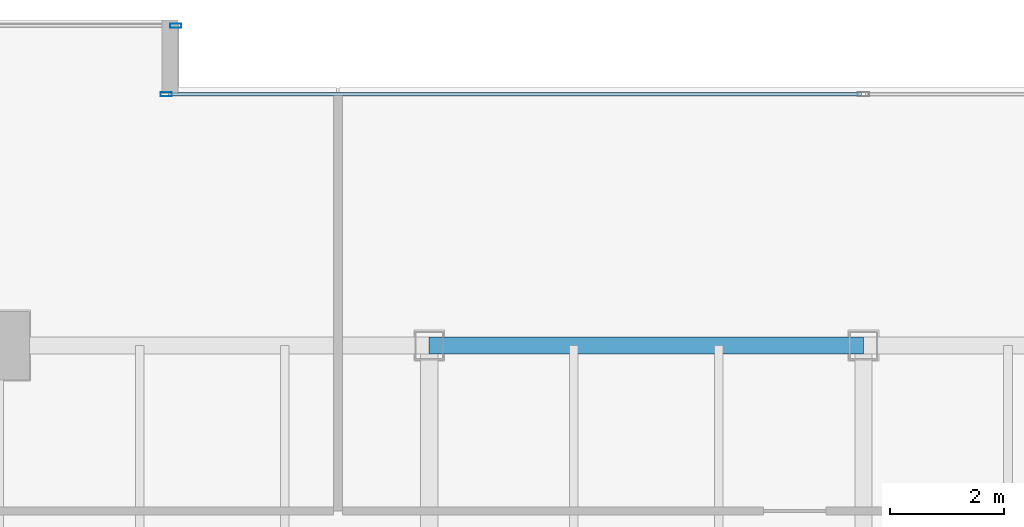
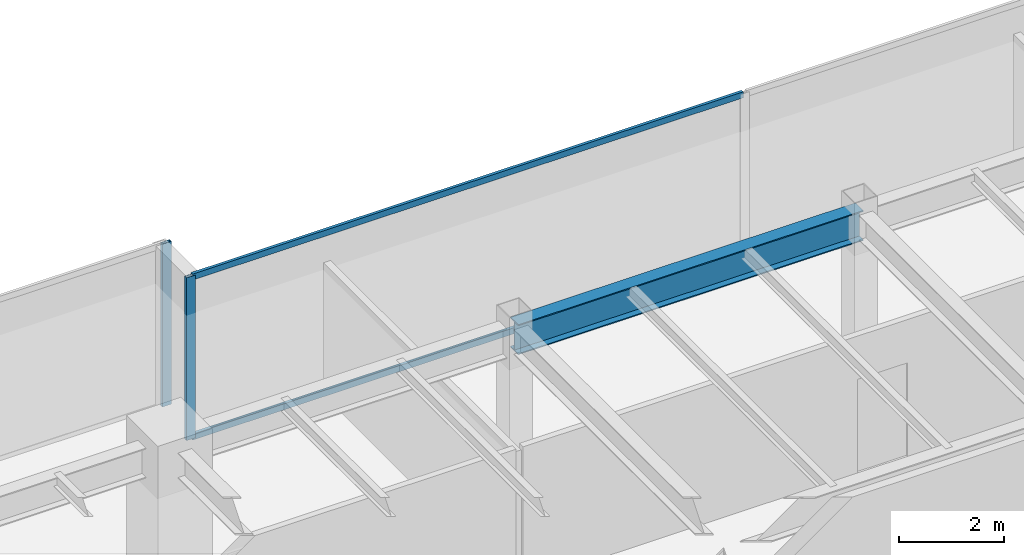
# One storey, part 16 of 34: 4 members, 1 beam, 2 elements without a shape of their own.
"""IFC4 building model written with IfcOpenShell, lengths in metres."""

from ifc_helpers import new_model, si_unit, direction, frame, origin, origin_2d, place, context, subcontext, project, spatial, hollow_rectangle, i_section, extrude, source, transform, mapped, material, layer, layer_set, material_profile, profile_set, type_object, type_shapes, element, aggregate, save


model = new_model("IFC4")

# Units and contexts
model_context = context("Model", 3, precision=1e-05, world=origin(), true_north=direction((0.0, 1.0)))
body_context = subcontext(model_context, "Body", "Model", "MODEL_VIEW")
ifc_project = project(units=[si_unit("LENGTHUNIT", "METRE"), si_unit("AREAUNIT", "SQUARE_METRE"), si_unit("VOLUMEUNIT", "CUBIC_METRE"), si_unit("PLANEANGLEUNIT", "RADIAN"), si_unit("MASSUNIT", "GRAM", prefix="KILO")], contexts=[model_context])

# Site, building, storey
site_placement = place(None, origin())
site = spatial("IfcSite", under=ifc_project, at=site_placement, CompositionType="ELEMENT")
building_placement = place(site_placement, origin())
building = spatial("IfcBuilding", under=site, at=building_placement, Name="Haelvirn Gate Laboratories", CompositionType="ELEMENT")
storey_placement = place(building_placement, frame((0.0, 0.0, 178.89990234375)))
storey = spatial("IfcBuildingStorey", under=building, at=storey_placement, Name="L43", CompositionType="ELEMENT", Elevation=178.89990234375)

# Beam
ifc_material_1 = material(Name="Steel SM355", Category="steel")
ifc_material_profile_1 = material_profile(ifc_material_1, i_section(OverallWidth=0.300048828125, OverallDepth=0.699951171875, WebThickness=0.012939453125, FlangeThickness=0.02392578125, at=origin_2d()), Name="H-700x300x13x24")
ifc_profile_set_1 = profile_set([ifc_material_profile_1], Name="Steel SM355")
beam_type = type_object("IfcBeamType", Name="BM-G-700", PredefinedType="BEAM", material=ifc_profile_set_1)
shared_shape_1 = source(origin(), body_context, "Body", "SweptSolid", [
    extrude(i_section(OverallWidth=0.300048828125, OverallDepth=0.699951171875, WebThickness=0.012939453125, FlangeThickness=0.02392578125, at=origin_2d()), origin(), (0.0, 0.0, 1.0), 7.599853515625),
])
type_shapes(beam_type, [shared_shape_1])
beam_placement = place(storey_placement, frame((29.800048828125, 41.60009765625, 3.440185546875), z_axis=(1.0, 0.0, 0.0), x_axis=(0.0, 1.0, 0.0)))
element("IfcBeam", 1, at=beam_placement, inside=storey, type_object=beam_type, Name="L43 Primary Girder Y41.6 (29.8-37.4)", PredefinedType="BEAM", context=body_context, shape_type="MappedRepresentation", body=[
    mapped(shared_shape_1, transform((0.0, 0.0, 0.0), scale=1.0)),
])

# Curtain wall, members
ifc_material_2 = material(Name="Anodised bronze unitised aluminium & triple low-E glass", Category="aluminium")
ifc_layer = layer(ifc_material_2, 0.179931640625, Name="CW-SYS-3")
ifc_layer_set = layer_set([ifc_layer], Name="Anodised bronze unitised aluminium & triple low-E glass")
curtain_wall_type = type_object("IfcCurtainWallType", Name="CW-SYS-3", PredefinedType="NOTDEFINED", material=ifc_layer_set)
curtain_wall_1_placement = place(storey_placement, origin())
curtain_wall_1 = element("IfcCurtainWall", 2, at=curtain_wall_1_placement, inside=storey, type_object=curtain_wall_type, Name="L43 Unitised Curtain Wall CW-L43-P0-E12-1", PredefinedType="NOTDEFINED")
ifc_material_3 = material(Name="Extruded aluminium 6063-T6 (anodised bronze)", Category="aluminium")
ifc_material_profile_2 = material_profile(ifc_material_3, hollow_rectangle(XDim=0.06494140625, YDim=0.139892578125, WallThickness=0.00390625, at=origin_2d()), Name="CWT-140x65x4")
ifc_profile_set_2 = profile_set([ifc_material_profile_2], Name="Extruded aluminium 6063-T6 (anodised bronze)")
member_type_1 = type_object("IfcMemberType", Name="CWT-T140", PredefinedType="USERDEFINED", material=ifc_profile_set_2)
shared_shape_2 = source(origin(), body_context, "Body", "SweptSolid", [
    extrude(hollow_rectangle(XDim=0.06494140625, YDim=0.139892578125, WallThickness=0.00390625, at=origin_2d()), origin(), (0.0, 0.0, 1.0), 12.12744140625),
])
type_shapes(member_type_1, [shared_shape_2])
member_1_placement = place(storey_placement, frame((25.235107421875, 46.0, 0.03271484375), z_axis=(1.0, 0.0, 0.0), x_axis=(0.0, 1.0, 0.0)))
member_1 = element("IfcMember", 3, at=member_1_placement, type_object=member_type_1, Name="CW3 transom 1.1", ObjectType="TRANSOM", PredefinedType="USERDEFINED", context=body_context, shape_type="MappedRepresentation", body=[
    mapped(shared_shape_2, transform((0.0, 0.0, 0.0), scale=1.0)),
])
member_2_placement = place(storey_placement, frame((25.235107421875, 46.0, 3.757568359375), z_axis=(1.0, 0.0, 0.0), x_axis=(0.0, 1.0, 0.0)))
member_2 = element("IfcMember", 4, at=member_2_placement, type_object=member_type_1, Name="CW3 transom 1.2", ObjectType="TRANSOM", PredefinedType="USERDEFINED", context=body_context, shape_type="MappedRepresentation", body=[
    mapped(shared_shape_2, transform((0.0, 0.0, 0.0), scale=1.0)),
])
ifc_material_profile_3 = material_profile(ifc_material_3, hollow_rectangle(XDim=0.074951171875, YDim=0.199951171875, WallThickness=0.0048828125, at=origin_2d()), Name="CWM-200x75x5")
ifc_profile_set_3 = profile_set([ifc_material_profile_3], Name="Extruded aluminium 6063-T6 (anodised bronze)")
member_type_2 = type_object("IfcMemberType", Name="CWM-T200", PredefinedType="MULLION", material=ifc_profile_set_3)
shared_shape_3 = source(origin(), body_context, "Body", "SweptSolid", [
    extrude(hollow_rectangle(XDim=0.074951171875, YDim=0.199951171875, WallThickness=0.0048828125, at=origin_2d()), origin(), (0.0, 0.0, 1.0), 3.7900390625),
])
type_shapes(member_type_2, [shared_shape_3])
member_3_placement = place(storey_placement, frame((25.197509765625, 46.0, 0.0), z_axis=(0.0, 0.0, 1.0), x_axis=(0.0, 1.0, 0.0)))
member_3 = element("IfcMember", 5, at=member_3_placement, type_object=member_type_2, Name="CW3 mullion 1", PredefinedType="MULLION", context=body_context, shape_type="MappedRepresentation", body=[
    mapped(shared_shape_3, transform((0.0, 0.0, 0.0), scale=1.0)),
])
aggregate(curtain_wall_1, [member_3, member_1, member_2])

# Curtain wall, member
curtain_wall_2_placement = place(storey_placement, origin())
curtain_wall_2 = element("IfcCurtainWall", 6, at=curtain_wall_2_placement, inside=storey, type_object=curtain_wall_type, Name="L43 Unitised Curtain Wall CW-L43-P0-E14-1", PredefinedType="NOTDEFINED")
member_4_placement = place(storey_placement, frame((25.362548828125, 47.199951171875, 0.0), z_axis=(0.0, 0.0, 1.0), x_axis=(0.0, 1.0, 0.0)))
member_4 = element("IfcMember", 7, at=member_4_placement, type_object=member_type_2, Name="CW3 mullion 3", PredefinedType="MULLION", context=body_context, shape_type="MappedRepresentation", body=[
    mapped(shared_shape_3, transform((0.0, 0.0, 0.0), scale=1.0)),
])
aggregate(curtain_wall_2, [member_4])

save(model, "model.ifc")
